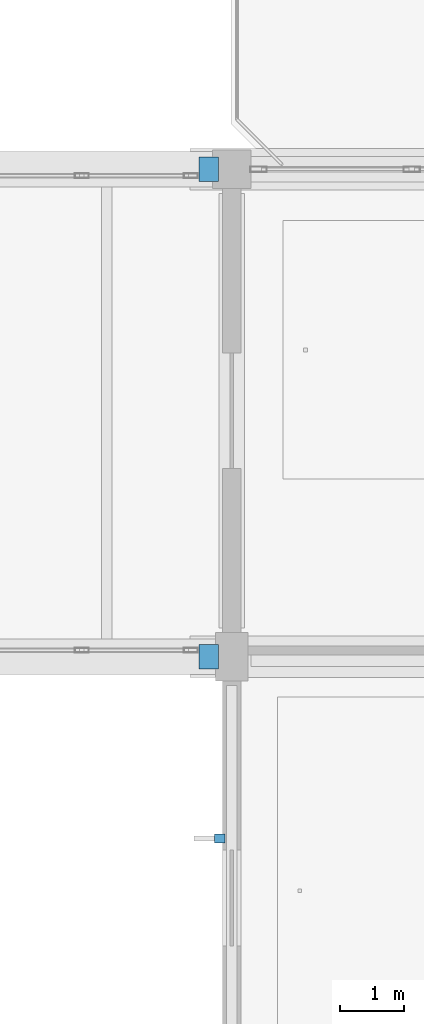
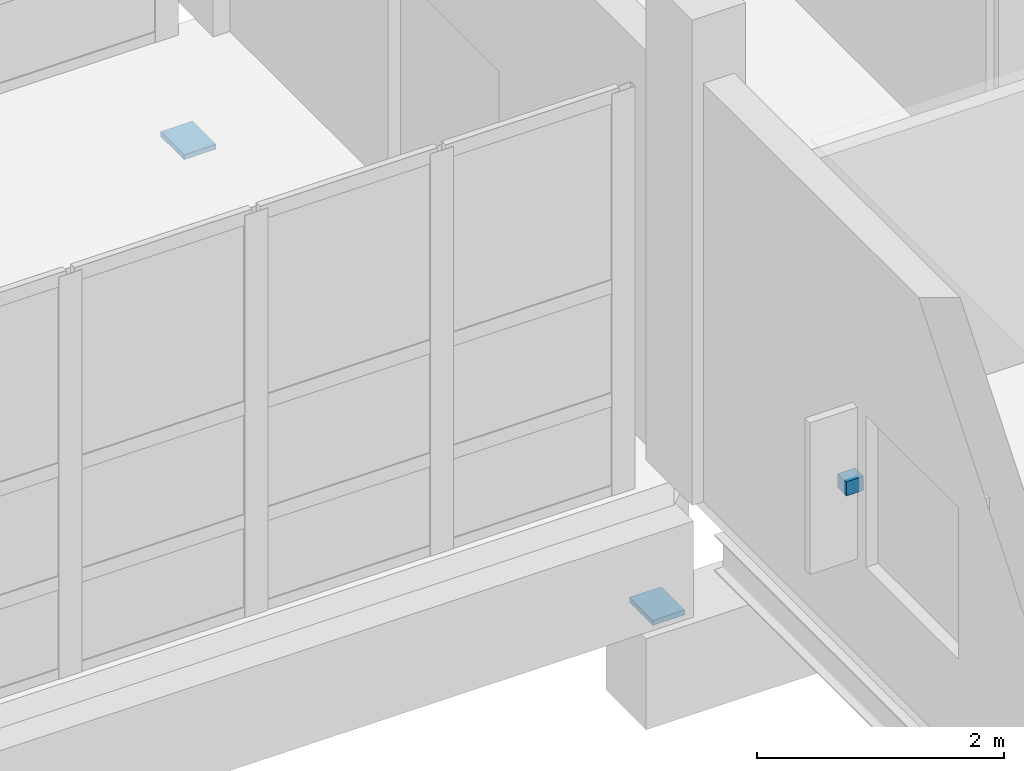
# One storey, part 123 of 147: 3 discrete accessories.
"""IFC4 building model written with IfcOpenShell, lengths in metres."""

from ifc_helpers import new_model, si_unit, direction, frame, origin, origin_2d, place, context, subcontext, project, spatial, rectangle, extrude, material, type_object, element, save


model = new_model("IFC4")

# Units and contexts
model_context = context("Model", 3, precision=1e-05, world=origin(), true_north=direction((0.0, 1.0)))
body_context = subcontext(model_context, "Body", "Model", "MODEL_VIEW")
ifc_project = project(units=[si_unit("LENGTHUNIT", "METRE"), si_unit("AREAUNIT", "SQUARE_METRE"), si_unit("VOLUMEUNIT", "CUBIC_METRE"), si_unit("PLANEANGLEUNIT", "RADIAN"), si_unit("MASSUNIT", "GRAM", prefix="KILO")], contexts=[model_context])

# Site, building, storey
site_placement = place(None, origin())
site = spatial("IfcSite", under=ifc_project, at=site_placement, CompositionType="ELEMENT")
building_placement = place(site_placement, origin())
building = spatial("IfcBuilding", under=site, at=building_placement, Name="Khelvaren Railside Concert Hall", CompositionType="ELEMENT")
storey_placement = place(building_placement, frame((0.0, 0.0, 5.39990234375)))
storey = spatial("IfcBuildingStorey", under=building, at=storey_placement, Name="L01", CompositionType="ELEMENT", Elevation=5.39990234375)

# Discrete accessories
ifc_material_1 = material(Name="Architectural stainless steel Grade 316", Category="steel")
discrete_accessory_type_1 = type_object("IfcDiscreteAccessoryType", Name="BRK87", PredefinedType="BRACKET", material=ifc_material_1)
discrete_accessory_placement = place(storey_placement, frame((63.81494140625, 4.767578125, 1.63037109375), z_axis=(0.0, 0.0, 1.0), x_axis=(0.0, 1.0, 0.0)))
element("IfcDiscreteAccessory", 1, at=discrete_accessory_placement, inside=storey, type_object=discrete_accessory_type_1, Name="Solar Fin Bracket EW-V3-L01-W-0", PredefinedType="BRACKET", context=body_context, shape_type="SweptSolid", body=[
    extrude(rectangle(XDim=0.139892578125, YDim=0.159912109375, at=origin_2d()), origin(), (0.0, 0.0, 1.0), 0.139892578125),
])
ifc_material_2 = material(Name="Elastomeric PTFE sliding bearing assembly", Category="steel")
discrete_accessory_type_2 = type_object("IfcDiscreteAccessoryType", Name="SB94", PredefinedType="USERDEFINED", material=ifc_material_2)
for number, where, z_axis, x_axis, name in (
    (2, (63.639892578125, 7.60009765625, -1.2099609375), (0.0, 0.0, 1.0), (1.0, 0.0, 0.0), "West Promenade Link Bridge L01 Unguided PTFE Sliding Bearing 1"),
    (3, (63.639892578125, 15.199951171875, -1.2099609375), (0.0, 0.0, 1.0), (1.0, 0.0, 0.0), "West Promenade Link Bridge L01 Unguided PTFE Sliding Bearing 2"),
):
    element("IfcDiscreteAccessory", number, at=place(storey_placement, frame(where, z_axis=z_axis, x_axis=x_axis)), inside=storey, type_object=discrete_accessory_type_2, Name=name, ObjectType="SLIDING BEARING", PredefinedType="USERDEFINED", context=body_context, shape_type="SweptSolid", body=[
        extrude(rectangle(XDim=0.300048828125, YDim=0.3798828125, at=origin_2d()), origin(), (0.0, 0.0, 1.0), 0.050048828125),
    ])

save(model, "model.ifc")
